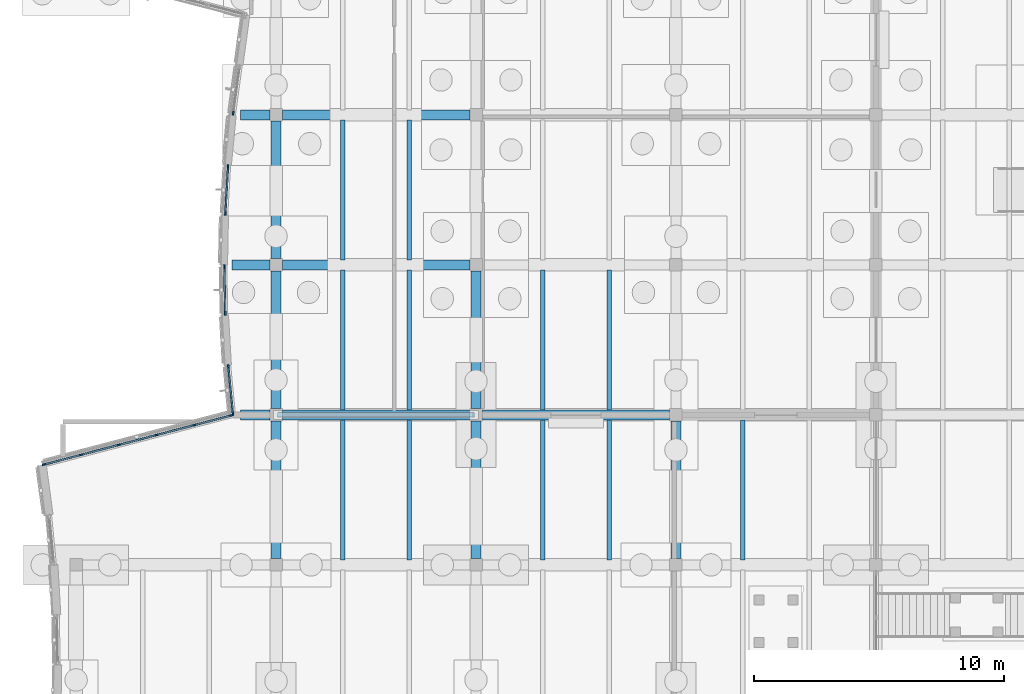
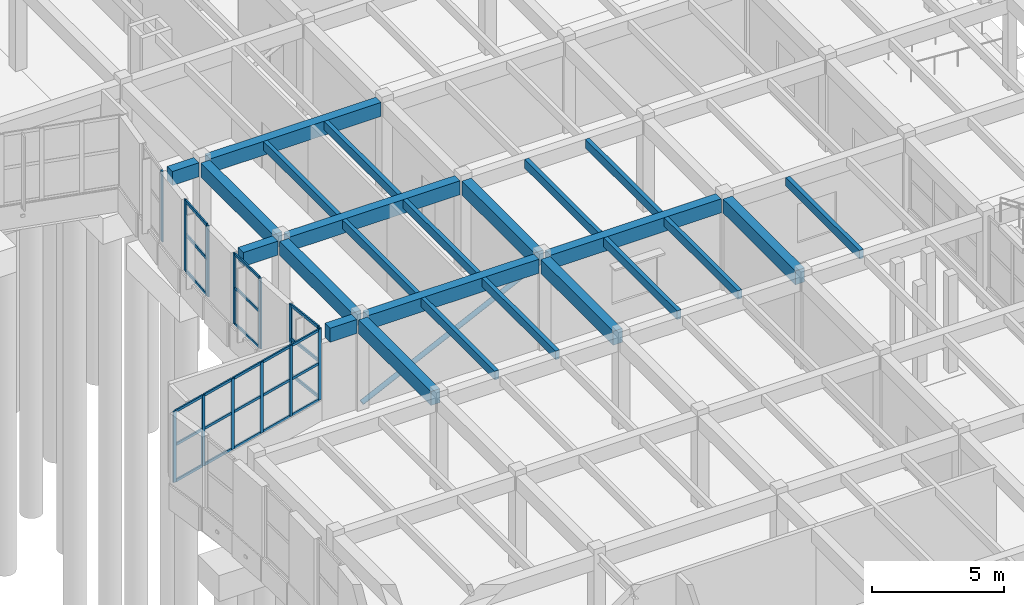
# One storey, part 18 of 99: 38 members, 24 beams, 5 elements without a shape of their own.
"""IFC4 building model written with IfcOpenShell, lengths in metres."""

from ifc_helpers import new_model, si_unit, direction, frame, origin, origin_2d, place, context, subcontext, project, spatial, rectangle, hollow_circle, extrude, material, layer, layer_set, material_profile, profile_set, type_object, element, aggregate, save


model = new_model("IFC4")

# Units and contexts
model_context = context("Model", 3, precision=1e-05, world=origin(), true_north=direction((0.0, 1.0)))
body_context = subcontext(model_context, "Body", "Model", "MODEL_VIEW")
ifc_project = project(units=[si_unit("LENGTHUNIT", "METRE"), si_unit("AREAUNIT", "SQUARE_METRE"), si_unit("VOLUMEUNIT", "CUBIC_METRE"), si_unit("PLANEANGLEUNIT", "RADIAN"), si_unit("MASSUNIT", "GRAM", prefix="KILO")], contexts=[model_context])

# Site, building, storey
site_placement = place(None, origin())
site = spatial("IfcSite", under=ifc_project, at=site_placement, CompositionType="ELEMENT")
building_placement = place(site_placement, origin())
building = spatial("IfcBuilding", under=site, at=building_placement, Name="Tonlespit Floodbar School", CompositionType="ELEMENT")
storey_placement = place(building_placement, origin())
storey = spatial("IfcBuildingStorey", under=building, at=storey_placement, Name="L00", CompositionType="ELEMENT", Elevation=0.0)

# Beams
ifc_material_1 = material(Name="Concrete C40/50", Category="concrete")
ifc_material_profile_1 = material_profile(ifc_material_1, rectangle(XDim=0.39990234375, YDim=0.64990234375, at=origin_2d()), Name="RC 400x650")
ifc_profile_set_1 = profile_set([ifc_material_profile_1], Name="Concrete C40/50")
beam_type_1 = type_object("IfcBeamType", Name="Beam_RC_400x650", PredefinedType="BEAM", material=ifc_profile_set_1)
for number, where, z_axis, x_axis, name in (
    (1, (12.25, 38.0, 3.9150390625), (1.0, 0.0, 0.0), (0.0, 1.0, 0.0), "L00 girder 0032"),
    (2, (20.25, 38.0, 3.9150390625), (1.0, 0.0, 0.0), (0.0, 1.0, 0.0), "L00 girder 0033"),
    (3, (12.25, 44.0, 3.9150390625), (1.0, 0.0, 0.0), (0.0, 1.0, 0.0), "L00 girder 0036"),
    (4, (12.25, 50.0, 3.9150390625), (1.0, 0.0, 0.0), (0.0, 1.0, 0.0), "L00 girder 0040"),
):
    element("IfcBeam", number, at=place(storey_placement, frame(where, z_axis=z_axis, x_axis=x_axis)), inside=storey, type_object=beam_type_1, Name=name, PredefinedType="BEAM", context=body_context, shape_type="SweptSolid", body=[
        extrude(rectangle(XDim=0.39990234375, YDim=0.64990234375, at=origin_2d()), origin(), (0.0, 0.0, 1.0), 7.5),
    ])
for number, where, z_axis, x_axis, name in (
    (5, (12.0, 32.25, 3.9150390625), (0.0, 1.0, 0.0), (-1.0, 0.0, 0.0), "L00 girder 0175"),
    (6, (12.0, 38.25, 3.9150390625), (0.0, 1.0, 0.0), (-1.0, 0.0, 0.0), "L00 girder 0176"),
    (7, (12.0, 44.25, 3.9150390625), (0.0, 1.0, 0.0), (-1.0, 0.0, 0.0), "L00 girder 0177"),
    (8, (20.0, 32.25, 3.9150390625), (0.0, 1.0, 0.0), (-1.0, 0.0, 0.0), "L00 girder 0188"),
    (9, (20.0, 38.25, 3.9150390625), (0.0, 1.0, 0.0), (-1.0, 0.0, 0.0), "L00 girder 0189"),
    (10, (28.0, 32.25, 3.9150390625), (0.0, 1.0, 0.0), (-1.0, 0.0, 0.0), "L00 girder 0201"),
):
    element("IfcBeam", number, at=place(storey_placement, frame(where, z_axis=z_axis, x_axis=x_axis)), inside=storey, type_object=beam_type_1, Name=name, PredefinedType="BEAM", context=body_context, shape_type="SweptSolid", body=[
        extrude(rectangle(XDim=0.39990234375, YDim=0.64990234375, at=origin_2d()), origin(), (0.0, 0.0, 1.0), 5.5),
    ])
beam_1_placement = place(storey_placement, frame((11.75, 38.0, 3.9150390625), z_axis=(-1.0, 0.0, 0.0), x_axis=(0.0, -1.0, 0.0)))
element("IfcBeam", 11, at=beam_1_placement, inside=storey, type_object=beam_type_1, Name="L00 west street wave cantilever bracket", PredefinedType="BEAM", context=body_context, shape_type="SweptSolid", body=[
    extrude(rectangle(XDim=0.39990234375, YDim=0.64990234375, at=origin_2d()), origin(), (0.0, 0.0, 1.0), 1.171875),
])
beam_2_placement = place(storey_placement, frame((11.75, 44.0, 3.9150390625), z_axis=(-1.0, 0.0, 0.0), x_axis=(0.0, -1.0, 0.0)))
element("IfcBeam", 12, at=beam_2_placement, inside=storey, type_object=beam_type_1, Name="L00 west street wave cantilever bracket", PredefinedType="BEAM", context=body_context, shape_type="SweptSolid", body=[
    extrude(rectangle(XDim=0.39990234375, YDim=0.64990234375, at=origin_2d()), origin(), (0.0, 0.0, 1.0), 1.51904296875),
])
beam_3_placement = place(storey_placement, frame((11.75, 50.0, 3.9150390625), z_axis=(-1.0, 0.0, 0.0), x_axis=(0.0, -1.0, 0.0)))
element("IfcBeam", 13, at=beam_3_placement, inside=storey, type_object=beam_type_1, Name="L00 west street wave cantilever bracket", PredefinedType="BEAM", context=body_context, shape_type="SweptSolid", body=[
    extrude(rectangle(XDim=0.39990234375, YDim=0.64990234375, at=origin_2d()), origin(), (0.0, 0.0, 1.0), 1.171875),
])

# Member
ifc_material_2 = material(Name="Steel S355", Category="steel")
ifc_material_profile_2 = material_profile(ifc_material_2, hollow_circle(Radius=0.109619140625, WallThickness=0.008056640625, at=origin_2d()), Name="CHS 219.1x8")
ifc_profile_set_2 = profile_set([ifc_material_profile_2], Name="Steel S355")
member_type_1 = type_object("IfcMemberType", Name="Brace_Ext_CHS219", PredefinedType="BRACE", material=ifc_profile_set_2)
member_1_placement = place(storey_placement, frame((12.080078125, 38.0, 0.14990234375), z_axis=(0.899863104684, 0.0, 0.436172434741), x_axis=(0.0, 1.0, 0.0)))
element("IfcMember", 14, at=member_1_placement, inside=storey, type_object=member_type_1, Name="L00 exposed deconstructivist lateral brace 3", PredefinedType="BRACE", context=body_context, shape_type="SweptSolid", body=[
    extrude(hollow_circle(Radius=0.109619140625, WallThickness=0.008056640625, at=origin_2d()), origin(), (0.0, 0.0, 1.0), 8.712158203125),
])

# Curtain wall, members
ifc_material_3 = material(Name="Anodised Aluminium", Category="aluminium")
ifc_layer_1 = layer(ifc_material_3, 0.159912109375)
ifc_layer_set_1 = layer_set([ifc_layer_1], Name="Anodised Aluminium")
curtain_wall_type_1 = type_object("IfcCurtainWallType", Name="CurtainWall_1900x3300", PredefinedType="NOTDEFINED", material=ifc_layer_set_1)
curtain_wall_1_placement = place(storey_placement, origin())
curtain_wall_1 = element("IfcCurtainWall", 15, at=curtain_wall_1_placement, inside=storey, type_object=curtain_wall_type_1, Name="L00 unitised curtain wall 0252", PredefinedType="NOTDEFINED")
ifc_material_profile_3 = material_profile(ifc_material_3, rectangle(XDim=0.06494140625, YDim=0.14990234375, at=origin_2d()), Name="ALU M65x150")
ifc_profile_set_3 = profile_set([ifc_material_profile_3], Name="Anodised Aluminium")
member_type_2 = type_object("IfcMemberType", Name="CW_Mullion_65x150", PredefinedType="MULLION", material=ifc_profile_set_3)
member_2_placement = place(storey_placement, frame((9.968017578125, 42.072509765625, 0.949951171875), z_axis=(0.0, 0.0, 1.0), x_axis=(-0.999815370969, -0.019215201653, 0.0)))
member_2 = element("IfcMember", 16, at=member_2_placement, type_object=member_type_2, Name="CW-02 mullion 1", PredefinedType="MULLION", context=body_context, shape_type="SweptSolid", body=[
    extrude(rectangle(XDim=0.06494140625, YDim=0.14990234375, at=origin_2d()), origin(), (0.0, 0.0, 1.0), 3.2900390625),
])
member_3_placement = place(storey_placement, frame((9.932373046875, 43.927490234375, 0.949951171875), z_axis=(0.0, 0.0, 1.0), x_axis=(-0.999815370969, -0.019215201653, 0.0)))
member_3 = element("IfcMember", 17, at=member_3_placement, type_object=member_type_2, Name="CW-02 mullion 2", PredefinedType="MULLION", context=body_context, shape_type="SweptSolid", body=[
    extrude(rectangle(XDim=0.06494140625, YDim=0.14990234375, at=origin_2d()), origin(), (0.0, 0.0, 1.0), 3.2900390625),
])

# Curtain wall, member
ifc_layer_2 = layer(ifc_material_3, 0.159912109375)
ifc_layer_set_2 = layer_set([ifc_layer_2], Name="Anodised Aluminium")
curtain_wall_type_2 = type_object("IfcCurtainWallType", Name="CurtainWall_1950x3300", PredefinedType="NOTDEFINED", material=ifc_layer_set_2)
curtain_wall_2_placement = place(storey_placement, origin())
curtain_wall_2 = element("IfcCurtainWall", 18, at=curtain_wall_2_placement, inside=storey, type_object=curtain_wall_type_2, Name="L00 unitised curtain wall 0254", PredefinedType="NOTDEFINED")
member_4_placement = place(storey_placement, frame((10.2880859375, 50.07177734375, 0.949951171875), z_axis=(0.0, 0.0, 1.0), x_axis=(-0.990894096494, 0.134643564765, 0.0)))
member_4 = element("IfcMember", 19, at=member_4_placement, type_object=member_type_2, Name="CW-01 mullion 1", PredefinedType="MULLION", context=body_context, shape_type="SweptSolid", body=[
    extrude(rectangle(XDim=0.06494140625, YDim=0.14990234375, at=origin_2d()), origin(), (0.0, 0.0, 1.0), 3.2900390625),
])
aggregate(curtain_wall_2, [member_4])

# Curtain wall, members
ifc_layer_3 = layer(ifc_material_3, 0.159912109375)
ifc_layer_set_3 = layer_set([ifc_layer_3], Name="Anodised Aluminium")
curtain_wall_type_3 = type_object("IfcCurtainWallType", Name="CurtainWall_7800x3300", PredefinedType="NOTDEFINED", material=ifc_layer_set_3)
curtain_wall_3_placement = place(storey_placement, origin())
curtain_wall_3 = element("IfcCurtainWall", 20, at=curtain_wall_3_placement, inside=storey, type_object=curtain_wall_type_3, Name="L00 unitised curtain wall 0504", PredefinedType="NOTDEFINED")
member_5_placement = place(storey_placement, frame((2.72021484375, 36.018310546875, 0.949951171875), z_axis=(0.0, 0.0, 1.0), x_axis=(-0.253624266142, 0.967302812786, 0.0)))
member_5 = element("IfcMember", 21, at=member_5_placement, type_object=member_type_2, Name="CW-81 mullion 1", PredefinedType="MULLION", context=body_context, shape_type="SweptSolid", body=[
    extrude(rectangle(XDim=0.06494140625, YDim=0.14990234375, at=origin_2d()), origin(), (0.0, 0.0, 1.0), 3.2900390625),
])
member_6_placement = place(storey_placement, frame((4.198974609375, 36.406005859375, 0.949951171875), z_axis=(0.0, 0.0, 1.0), x_axis=(-0.253624266142, 0.967302812786, 0.0)))
member_6 = element("IfcMember", 22, at=member_6_placement, type_object=member_type_2, Name="CW-81 mullion 2", PredefinedType="MULLION", context=body_context, shape_type="SweptSolid", body=[
    extrude(rectangle(XDim=0.06494140625, YDim=0.14990234375, at=origin_2d()), origin(), (0.0, 0.0, 1.0), 3.2900390625),
])
member_7_placement = place(storey_placement, frame((5.708984375, 36.802001953125, 0.949951171875), z_axis=(0.0, 0.0, 1.0), x_axis=(-0.253624266142, 0.967302812786, 0.0)))
member_7 = element("IfcMember", 23, at=member_7_placement, type_object=member_type_2, Name="CW-81 mullion 3", PredefinedType="MULLION", context=body_context, shape_type="SweptSolid", body=[
    extrude(rectangle(XDim=0.06494140625, YDim=0.14990234375, at=origin_2d()), origin(), (0.0, 0.0, 1.0), 3.2900390625),
])
member_8_placement = place(storey_placement, frame((7.21923828125, 37.197998046875, 0.949951171875), z_axis=(0.0, 0.0, 1.0), x_axis=(-0.253624266142, 0.967302812786, 0.0)))
member_8 = element("IfcMember", 24, at=member_8_placement, type_object=member_type_2, Name="CW-81 mullion 4", PredefinedType="MULLION", context=body_context, shape_type="SweptSolid", body=[
    extrude(rectangle(XDim=0.06494140625, YDim=0.14990234375, at=origin_2d()), origin(), (0.0, 0.0, 1.0), 3.2900390625),
])
member_9_placement = place(storey_placement, frame((8.729248046875, 37.593994140625, 0.949951171875), z_axis=(0.0, 0.0, 1.0), x_axis=(-0.253624266142, 0.967302812786, 0.0)))
member_9 = element("IfcMember", 25, at=member_9_placement, type_object=member_type_2, Name="CW-81 mullion 5", PredefinedType="MULLION", context=body_context, shape_type="SweptSolid", body=[
    extrude(rectangle(XDim=0.06494140625, YDim=0.14990234375, at=origin_2d()), origin(), (0.0, 0.0, 1.0), 3.2900390625),
])
member_10_placement = place(storey_placement, frame((10.2080078125, 37.981689453125, 0.949951171875), z_axis=(0.0, 0.0, 1.0), x_axis=(-0.253624266142, 0.967302812786, 0.0)))
member_10 = element("IfcMember", 26, at=member_10_placement, type_object=member_type_2, Name="CW-81 mullion 6", PredefinedType="MULLION", context=body_context, shape_type="SweptSolid", body=[
    extrude(rectangle(XDim=0.06494140625, YDim=0.14990234375, at=origin_2d()), origin(), (0.0, 0.0, 1.0), 3.2900390625),
])

curtain_wall_4_placement = place(storey_placement, origin())
curtain_wall_4 = element("IfcCurtainWall", 27, at=curtain_wall_4_placement, inside=storey, type_object=curtain_wall_type_2, Name="L00 unitised curtain wall 0251", PredefinedType="NOTDEFINED")
ifc_material_profile_4 = material_profile(ifc_material_3, rectangle(XDim=0.06494140625, YDim=0.179931640625, at=origin_2d()), Name="ALU M65x180")
ifc_profile_set_4 = profile_set([ifc_material_profile_4], Name="Anodised Aluminium")
member_type_3 = type_object("IfcMemberType", Name="CW_Mullion_65x180", PredefinedType="MULLION", material=ifc_profile_set_4)
member_11_placement = place(storey_placement, frame((10.271240234375, 38.072265625, 0.949951171875), z_axis=(0.0, 0.0, 1.0), x_axis=(-0.995362188546, -0.096198303585, 0.0)))
member_11 = element("IfcMember", 28, at=member_11_placement, type_object=member_type_3, Name="CW-01 mullion 1", PredefinedType="MULLION", context=body_context, shape_type="SweptSolid", body=[
    extrude(rectangle(XDim=0.06494140625, YDim=0.179931640625, at=origin_2d()), origin(), (0.0, 0.0, 1.0), 3.2900390625),
])
member_12_placement = place(storey_placement, frame((10.092041015625, 39.927734375, 0.949951171875), z_axis=(0.0, 0.0, 1.0), x_axis=(-0.995362188546, -0.096198303585, 0.0)))
member_12 = element("IfcMember", 29, at=member_12_placement, type_object=member_type_3, Name="CW-01 mullion 2", PredefinedType="MULLION", context=body_context, shape_type="SweptSolid", body=[
    extrude(rectangle(XDim=0.06494140625, YDim=0.179931640625, at=origin_2d()), origin(), (0.0, 0.0, 1.0), 3.2900390625),
])

curtain_wall_5_placement = place(storey_placement, origin())
curtain_wall_5 = element("IfcCurtainWall", 30, at=curtain_wall_5_placement, inside=storey, type_object=curtain_wall_type_1, Name="L00 unitised curtain wall 0253", PredefinedType="NOTDEFINED")
member_13_placement = place(storey_placement, frame((9.9736328125, 46.072265625, 0.949951171875), z_axis=(0.0, 0.0, 1.0), x_axis=(-0.998333381227, 0.057710137129, 0.0)))
member_13 = element("IfcMember", 31, at=member_13_placement, type_object=member_type_3, Name="CW-02 mullion 1", PredefinedType="MULLION", context=body_context, shape_type="SweptSolid", body=[
    extrude(rectangle(XDim=0.06494140625, YDim=0.179931640625, at=origin_2d()), origin(), (0.0, 0.0, 1.0), 3.2900390625),
])
member_14_placement = place(storey_placement, frame((10.080810546875, 47.927734375, 0.949951171875), z_axis=(0.0, 0.0, 1.0), x_axis=(-0.998333381227, 0.057710137129, 0.0)))
member_14 = element("IfcMember", 32, at=member_14_placement, type_object=member_type_3, Name="CW-02 mullion 2", PredefinedType="MULLION", context=body_context, shape_type="SweptSolid", body=[
    extrude(rectangle(XDim=0.06494140625, YDim=0.179931640625, at=origin_2d()), origin(), (0.0, 0.0, 1.0), 3.2900390625),
])

# Member
ifc_material_profile_5 = material_profile(ifc_material_3, rectangle(XDim=0.06494140625, YDim=0.1201171875, at=origin_2d()), Name="ALU T65x120")
ifc_profile_set_5 = profile_set([ifc_material_profile_5], Name="Anodised Aluminium")
member_type_4 = type_object("IfcMemberType", Name="CW_Transom_65x120", PredefinedType="USERDEFINED", material=ifc_profile_set_5)
member_15_placement = place(storey_placement, frame((9.96728515625, 42.10498046875, 0.982421875), z_axis=(-0.019227214231, 0.99981514003, 0.0), x_axis=(-0.99981514003, -0.019227214231, 0.0)))
member_15 = element("IfcMember", 33, at=member_15_placement, type_object=member_type_4, Name="CW-02 transom 1.1", ObjectType="TRANSOM", PredefinedType="USERDEFINED", context=body_context, shape_type="SweptSolid", body=[
    extrude(rectangle(XDim=0.06494140625, YDim=0.1201171875, at=origin_2d()), origin(), (0.0, 0.0, 1.0), 1.790283203125),
])

member_16_placement = place(storey_placement, frame((9.96728515625, 42.10498046875, 2.660888671875), z_axis=(-0.019227214231, 0.99981514003, 0.0), x_axis=(-0.99981514003, -0.019227214231, 0.0)))
member_16 = element("IfcMember", 34, at=member_16_placement, type_object=member_type_4, Name="CW-02 transom 1.2", ObjectType="TRANSOM", PredefinedType="USERDEFINED", context=body_context, shape_type="SweptSolid", body=[
    extrude(rectangle(XDim=0.06494140625, YDim=0.1201171875, at=origin_2d()), origin(), (0.0, 0.0, 1.0), 1.790283203125),
])

member_17_placement = place(storey_placement, frame((9.96728515625, 42.10498046875, 4.20751953125), z_axis=(-0.019227214231, 0.99981514003, 0.0), x_axis=(-0.99981514003, -0.019227214231, 0.0)))
member_17 = element("IfcMember", 35, at=member_17_placement, type_object=member_type_4, Name="CW-02 transom 1.3", ObjectType="TRANSOM", PredefinedType="USERDEFINED", context=body_context, shape_type="SweptSolid", body=[
    extrude(rectangle(XDim=0.06494140625, YDim=0.1201171875, at=origin_2d()), origin(), (0.0, 0.0, 1.0), 1.790283203125),
])

aggregate(curtain_wall_1, [member_2, member_3, member_15, member_16, member_17])

member_18_placement = place(storey_placement, frame((2.75146484375, 36.026611328125, 0.982421875), z_axis=(0.967333281507, 0.253508032395, 0.0), x_axis=(-0.253508032395, 0.967333281507, 0.0)))
member_18 = element("IfcMember", 36, at=member_18_placement, type_object=member_type_4, Name="CW-81 transom 1.1", ObjectType="TRANSOM", PredefinedType="USERDEFINED", context=body_context, shape_type="SweptSolid", body=[
    extrude(rectangle(XDim=0.06494140625, YDim=0.1201171875, at=origin_2d()), origin(), (0.0, 0.0, 1.0), 1.4638671875),
])

member_19_placement = place(storey_placement, frame((2.75146484375, 36.026611328125, 2.660888671875), z_axis=(0.967333281507, 0.253508032395, 0.0), x_axis=(-0.253508032395, 0.967333281507, 0.0)))
member_19 = element("IfcMember", 37, at=member_19_placement, type_object=member_type_4, Name="CW-81 transom 1.2", ObjectType="TRANSOM", PredefinedType="USERDEFINED", context=body_context, shape_type="SweptSolid", body=[
    extrude(rectangle(XDim=0.06494140625, YDim=0.1201171875, at=origin_2d()), origin(), (0.0, 0.0, 1.0), 1.4638671875),
])

member_20_placement = place(storey_placement, frame((2.75146484375, 36.026611328125, 4.20751953125), z_axis=(0.967333281507, 0.253508032395, 0.0), x_axis=(-0.253508032395, 0.967333281507, 0.0)))
member_20 = element("IfcMember", 38, at=member_20_placement, type_object=member_type_4, Name="CW-81 transom 1.3", ObjectType="TRANSOM", PredefinedType="USERDEFINED", context=body_context, shape_type="SweptSolid", body=[
    extrude(rectangle(XDim=0.06494140625, YDim=0.1201171875, at=origin_2d()), origin(), (0.0, 0.0, 1.0), 1.4638671875),
])

member_21_placement = place(storey_placement, frame((4.230224609375, 36.414306640625, 0.982421875), z_axis=(0.967315065085, 0.253577532244, 0.0), x_axis=(-0.253577532244, 0.967315065085, 0.0)))
member_21 = element("IfcMember", 39, at=member_21_placement, type_object=member_type_4, Name="CW-81 transom 2.1", ObjectType="TRANSOM", PredefinedType="USERDEFINED", context=body_context, shape_type="SweptSolid", body=[
    extrude(rectangle(XDim=0.06494140625, YDim=0.1201171875, at=origin_2d()), origin(), (0.0, 0.0, 1.0), 1.49609375),
])

member_22_placement = place(storey_placement, frame((4.230224609375, 36.414306640625, 2.660888671875), z_axis=(0.967315065085, 0.253577532244, 0.0), x_axis=(-0.253577532244, 0.967315065085, 0.0)))
member_22 = element("IfcMember", 40, at=member_22_placement, type_object=member_type_4, Name="CW-81 transom 2.2", ObjectType="TRANSOM", PredefinedType="USERDEFINED", context=body_context, shape_type="SweptSolid", body=[
    extrude(rectangle(XDim=0.06494140625, YDim=0.1201171875, at=origin_2d()), origin(), (0.0, 0.0, 1.0), 1.49609375),
])

member_23_placement = place(storey_placement, frame((4.230224609375, 36.414306640625, 4.20751953125), z_axis=(0.967315065085, 0.253577532244, 0.0), x_axis=(-0.253577532244, 0.967315065085, 0.0)))
member_23 = element("IfcMember", 41, at=member_23_placement, type_object=member_type_4, Name="CW-81 transom 2.3", ObjectType="TRANSOM", PredefinedType="USERDEFINED", context=body_context, shape_type="SweptSolid", body=[
    extrude(rectangle(XDim=0.06494140625, YDim=0.1201171875, at=origin_2d()), origin(), (0.0, 0.0, 1.0), 1.49609375),
])

member_24_placement = place(storey_placement, frame((5.740478515625, 36.810302734375, 0.982421875), z_axis=(0.967315065085, 0.253577532244, 0.0), x_axis=(-0.253577532244, 0.967315065085, 0.0)))
member_24 = element("IfcMember", 42, at=member_24_placement, type_object=member_type_4, Name="CW-81 transom 3.1", ObjectType="TRANSOM", PredefinedType="USERDEFINED", context=body_context, shape_type="SweptSolid", body=[
    extrude(rectangle(XDim=0.06494140625, YDim=0.1201171875, at=origin_2d()), origin(), (0.0, 0.0, 1.0), 1.49609375),
])

member_25_placement = place(storey_placement, frame((5.740478515625, 36.810302734375, 2.660888671875), z_axis=(0.967315065085, 0.253577532244, 0.0), x_axis=(-0.253577532244, 0.967315065085, 0.0)))
member_25 = element("IfcMember", 43, at=member_25_placement, type_object=member_type_4, Name="CW-81 transom 3.2", ObjectType="TRANSOM", PredefinedType="USERDEFINED", context=body_context, shape_type="SweptSolid", body=[
    extrude(rectangle(XDim=0.06494140625, YDim=0.1201171875, at=origin_2d()), origin(), (0.0, 0.0, 1.0), 1.49609375),
])

member_26_placement = place(storey_placement, frame((5.740478515625, 36.810302734375, 4.20751953125), z_axis=(0.967315065085, 0.253577532244, 0.0), x_axis=(-0.253577532244, 0.967315065085, 0.0)))
member_26 = element("IfcMember", 44, at=member_26_placement, type_object=member_type_4, Name="CW-81 transom 3.3", ObjectType="TRANSOM", PredefinedType="USERDEFINED", context=body_context, shape_type="SweptSolid", body=[
    extrude(rectangle(XDim=0.06494140625, YDim=0.1201171875, at=origin_2d()), origin(), (0.0, 0.0, 1.0), 1.49609375),
])

member_27_placement = place(storey_placement, frame((7.250732421875, 37.206298828125, 0.982421875), z_axis=(0.967315065085, 0.253577532244, 0.0), x_axis=(-0.253577532244, 0.967315065085, 0.0)))
member_27 = element("IfcMember", 45, at=member_27_placement, type_object=member_type_4, Name="CW-81 transom 4.1", ObjectType="TRANSOM", PredefinedType="USERDEFINED", context=body_context, shape_type="SweptSolid", body=[
    extrude(rectangle(XDim=0.06494140625, YDim=0.1201171875, at=origin_2d()), origin(), (0.0, 0.0, 1.0), 1.49609375),
])

member_28_placement = place(storey_placement, frame((7.250732421875, 37.206298828125, 2.660888671875), z_axis=(0.967315065085, 0.253577532244, 0.0), x_axis=(-0.253577532244, 0.967315065085, 0.0)))
member_28 = element("IfcMember", 46, at=member_28_placement, type_object=member_type_4, Name="CW-81 transom 4.2", ObjectType="TRANSOM", PredefinedType="USERDEFINED", context=body_context, shape_type="SweptSolid", body=[
    extrude(rectangle(XDim=0.06494140625, YDim=0.1201171875, at=origin_2d()), origin(), (0.0, 0.0, 1.0), 1.49609375),
])

member_29_placement = place(storey_placement, frame((7.250732421875, 37.206298828125, 4.20751953125), z_axis=(0.967315065085, 0.253577532244, 0.0), x_axis=(-0.253577532244, 0.967315065085, 0.0)))
member_29 = element("IfcMember", 47, at=member_29_placement, type_object=member_type_4, Name="CW-81 transom 4.3", ObjectType="TRANSOM", PredefinedType="USERDEFINED", context=body_context, shape_type="SweptSolid", body=[
    extrude(rectangle(XDim=0.06494140625, YDim=0.1201171875, at=origin_2d()), origin(), (0.0, 0.0, 1.0), 1.49609375),
])

member_30_placement = place(storey_placement, frame((8.7607421875, 37.602294921875, 0.982421875), z_axis=(0.967322560473, 0.253548938079, 0.0), x_axis=(-0.253548938079, 0.967322560473, 0.0)))
member_30 = element("IfcMember", 48, at=member_30_placement, type_object=member_type_4, Name="CW-81 transom 5.1", ObjectType="TRANSOM", PredefinedType="USERDEFINED", context=body_context, shape_type="SweptSolid", body=[
    extrude(rectangle(XDim=0.06494140625, YDim=0.1201171875, at=origin_2d()), origin(), (0.0, 0.0, 1.0), 1.463623046875),
])

member_31_placement = place(storey_placement, frame((8.7607421875, 37.602294921875, 2.660888671875), z_axis=(0.967322560473, 0.253548938079, 0.0), x_axis=(-0.253548938079, 0.967322560473, 0.0)))
member_31 = element("IfcMember", 49, at=member_31_placement, type_object=member_type_4, Name="CW-81 transom 5.2", ObjectType="TRANSOM", PredefinedType="USERDEFINED", context=body_context, shape_type="SweptSolid", body=[
    extrude(rectangle(XDim=0.06494140625, YDim=0.1201171875, at=origin_2d()), origin(), (0.0, 0.0, 1.0), 1.463623046875),
])

member_32_placement = place(storey_placement, frame((8.7607421875, 37.602294921875, 4.20751953125), z_axis=(0.967322560473, 0.253548938079, 0.0), x_axis=(-0.253548938079, 0.967322560473, 0.0)))
member_32 = element("IfcMember", 50, at=member_32_placement, type_object=member_type_4, Name="CW-81 transom 5.3", ObjectType="TRANSOM", PredefinedType="USERDEFINED", context=body_context, shape_type="SweptSolid", body=[
    extrude(rectangle(XDim=0.06494140625, YDim=0.1201171875, at=origin_2d()), origin(), (0.0, 0.0, 1.0), 1.463623046875),
])

aggregate(curtain_wall_3, [member_5, member_6, member_7, member_8, member_9, member_10, member_18, member_19, member_20, member_21, member_22, member_23, member_24, member_25, member_26, member_27, member_28, member_29, member_30, member_31, member_32])

ifc_material_profile_6 = material_profile(ifc_material_3, rectangle(XDim=0.06494140625, YDim=0.139892578125, at=origin_2d()), Name="ALU T65x140")
ifc_profile_set_6 = profile_set([ifc_material_profile_6], Name="Anodised Aluminium")
member_type_5 = type_object("IfcMemberType", Name="CW_Transom_65x140", PredefinedType="USERDEFINED", material=ifc_profile_set_6)
member_33_placement = place(storey_placement, frame((10.26806640625, 38.1044921875, 0.982421875), z_axis=(-0.096198443578, 0.995362175016, 0.0), x_axis=(-0.995362175016, -0.096198443578, 0.0)))
member_33 = element("IfcMember", 51, at=member_33_placement, type_object=member_type_5, Name="CW-01 transom 1.1", ObjectType="TRANSOM", PredefinedType="USERDEFINED", context=body_context, shape_type="SweptSolid", body=[
    extrude(rectangle(XDim=0.06494140625, YDim=0.139892578125, at=origin_2d()), origin(), (0.0, 0.0, 1.0), 1.79931640625),
])

member_34_placement = place(storey_placement, frame((10.26806640625, 38.1044921875, 2.660888671875), z_axis=(-0.096198443578, 0.995362175016, 0.0), x_axis=(-0.995362175016, -0.096198443578, 0.0)))
member_34 = element("IfcMember", 52, at=member_34_placement, type_object=member_type_5, Name="CW-01 transom 1.2", ObjectType="TRANSOM", PredefinedType="USERDEFINED", context=body_context, shape_type="SweptSolid", body=[
    extrude(rectangle(XDim=0.06494140625, YDim=0.139892578125, at=origin_2d()), origin(), (0.0, 0.0, 1.0), 1.79931640625),
])

member_35_placement = place(storey_placement, frame((10.26806640625, 38.1044921875, 4.20751953125), z_axis=(-0.096198443578, 0.995362175016, 0.0), x_axis=(-0.995362175016, -0.096198443578, 0.0)))
member_35 = element("IfcMember", 53, at=member_35_placement, type_object=member_type_5, Name="CW-01 transom 1.3", ObjectType="TRANSOM", PredefinedType="USERDEFINED", context=body_context, shape_type="SweptSolid", body=[
    extrude(rectangle(XDim=0.06494140625, YDim=0.139892578125, at=origin_2d()), origin(), (0.0, 0.0, 1.0), 1.79931640625),
])

aggregate(curtain_wall_4, [member_11, member_12, member_33, member_34, member_35])

member_36_placement = place(storey_placement, frame((9.975341796875, 46.104736328125, 0.982421875), z_axis=(0.057716552548, 0.998333010354, 0.0), x_axis=(-0.998333010354, 0.057716552548, 0.0)))
member_36 = element("IfcMember", 54, at=member_36_placement, type_object=member_type_5, Name="CW-02 transom 1.1", ObjectType="TRANSOM", PredefinedType="USERDEFINED", context=body_context, shape_type="SweptSolid", body=[
    extrude(rectangle(XDim=0.06494140625, YDim=0.139892578125, at=origin_2d()), origin(), (0.0, 0.0, 1.0), 1.79345703125),
])

member_37_placement = place(storey_placement, frame((9.975341796875, 46.104736328125, 2.660888671875), z_axis=(0.057716552548, 0.998333010354, 0.0), x_axis=(-0.998333010354, 0.057716552548, 0.0)))
member_37 = element("IfcMember", 55, at=member_37_placement, type_object=member_type_5, Name="CW-02 transom 1.2", ObjectType="TRANSOM", PredefinedType="USERDEFINED", context=body_context, shape_type="SweptSolid", body=[
    extrude(rectangle(XDim=0.06494140625, YDim=0.139892578125, at=origin_2d()), origin(), (0.0, 0.0, 1.0), 1.79345703125),
])

member_38_placement = place(storey_placement, frame((9.975341796875, 46.104736328125, 4.20751953125), z_axis=(0.057716552548, 0.998333010354, 0.0), x_axis=(-0.998333010354, 0.057716552548, 0.0)))
member_38 = element("IfcMember", 56, at=member_38_placement, type_object=member_type_5, Name="CW-02 transom 1.3", ObjectType="TRANSOM", PredefinedType="USERDEFINED", context=body_context, shape_type="SweptSolid", body=[
    extrude(rectangle(XDim=0.06494140625, YDim=0.139892578125, at=origin_2d()), origin(), (0.0, 0.0, 1.0), 1.79345703125),
])

aggregate(curtain_wall_5, [member_13, member_14, member_36, member_37, member_38])

# Beams
ifc_material_4 = material(Name="Glulam GL28h", Category="wood")
ifc_material_profile_7 = material_profile(ifc_material_4, rectangle(XDim=0.179931640625, YDim=0.39990234375, at=origin_2d()), Name="GL 180x400")
ifc_profile_set_7 = profile_set([ifc_material_profile_7], Name="Glulam GL28h")
beam_type_2 = type_object("IfcBeamType", Name="Joist_GL_180x400", PredefinedType="JOIST", material=ifc_profile_set_7)
for number, where, z_axis, x_axis, name in (
    (57, (14.666748046875, 32.199951171875, 4.0400390625), (0.0, 1.0, 0.0), (-1.0, 0.0, 0.0), "L00 secondary joist 0365"),
    (58, (17.333251953125, 32.199951171875, 4.0400390625), (0.0, 1.0, 0.0), (-1.0, 0.0, 0.0), "L00 secondary joist 0366"),
    (59, (22.666748046875, 32.199951171875, 4.0400390625), (0.0, 1.0, 0.0), (-1.0, 0.0, 0.0), "L00 secondary joist 0367"),
    (60, (25.333251953125, 32.199951171875, 4.0400390625), (0.0, 1.0, 0.0), (-1.0, 0.0, 0.0), "L00 secondary joist 0368"),
    (61, (30.666748046875, 32.199951171875, 4.0400390625), (0.0, 1.0, 0.0), (-1.0, 0.0, 0.0), "L00 secondary joist 0369"),
    (62, (14.666748046875, 38.199951171875, 4.0400390625), (0.0, 1.0, 0.0), (-1.0, 0.0, 0.0), "L00 secondary joist 0373"),
    (63, (17.333251953125, 38.199951171875, 4.0400390625), (0.0, 1.0, 0.0), (-1.0, 0.0, 0.0), "L00 secondary joist 0374"),
    (64, (22.666748046875, 38.199951171875, 4.0400390625), (0.0, 1.0, 0.0), (-1.0, 0.0, 0.0), "L00 secondary joist 0375"),
    (65, (25.333251953125, 38.199951171875, 4.0400390625), (0.0, 1.0, 0.0), (-1.0, 0.0, 0.0), "L00 secondary joist 0376"),
    (66, (14.666748046875, 44.199951171875, 4.0400390625), (0.0, 1.0, 0.0), (-1.0, 0.0, 0.0), "L00 secondary joist 0381"),
    (67, (17.333251953125, 44.199951171875, 4.0400390625), (0.0, 1.0, 0.0), (-1.0, 0.0, 0.0), "L00 secondary joist 0382"),
):
    element("IfcBeam", number, at=place(storey_placement, frame(where, z_axis=z_axis, x_axis=x_axis)), inside=storey, type_object=beam_type_2, Name=name, PredefinedType="JOIST", context=body_context, shape_type="SweptSolid", body=[
        extrude(rectangle(XDim=0.179931640625, YDim=0.39990234375, at=origin_2d()), origin(), (0.0, 0.0, 1.0), 5.60009765625),
    ])

save(model, "model.ifc")
